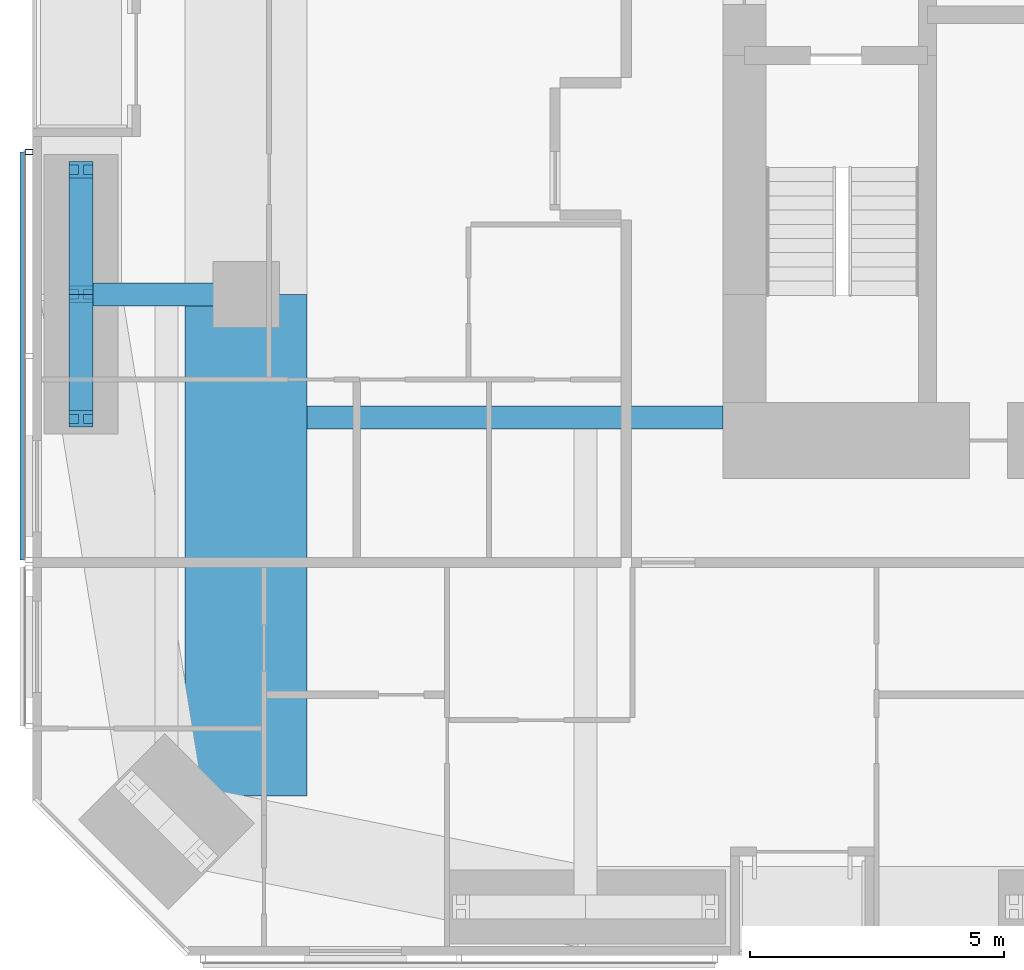
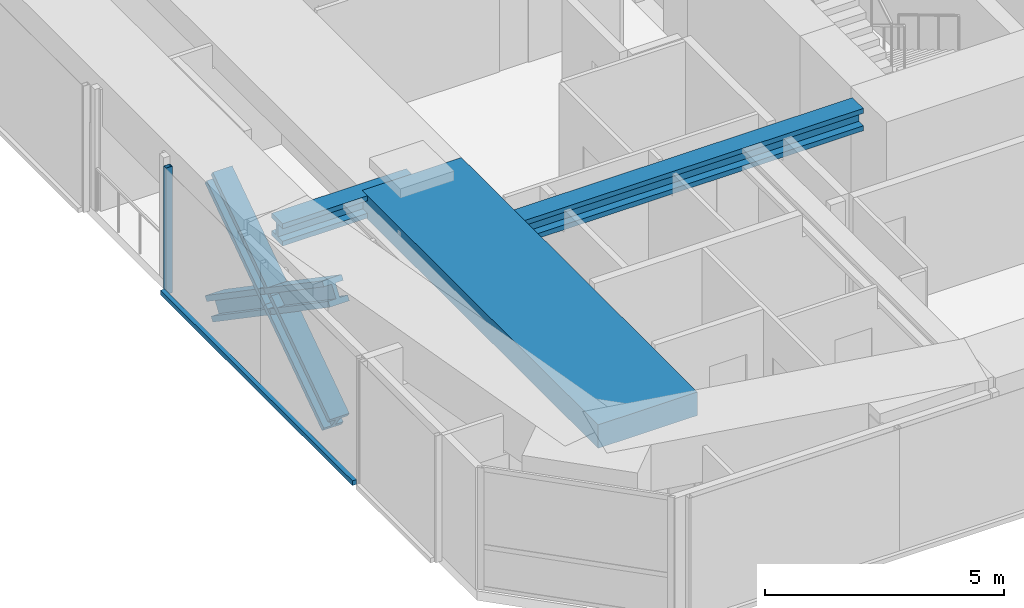
# One storey, part 3 of 23: 6 members, 3 beams, 1 element without a shape of its own.
"""IFC4 building model written with IfcOpenShell, lengths in metres."""

from ifc_helpers import new_model, si_unit, direction, frame, origin, origin_2d, place, context, subcontext, project, spatial, rectangle, hollow_rectangle, i_section, extrude, material, material_profile, profile_set, type_object, element, aggregate, save


model = new_model("IFC4")

# Units and contexts
model_context = context("Model", 3, precision=1e-05, world=origin(), true_north=direction((0.0, 1.0)))
body_context = subcontext(model_context, "Body", "Model", "MODEL_VIEW")
ifc_project = project(units=[si_unit("LENGTHUNIT", "METRE"), si_unit("AREAUNIT", "SQUARE_METRE"), si_unit("VOLUMEUNIT", "CUBIC_METRE"), si_unit("PLANEANGLEUNIT", "RADIAN"), si_unit("MASSUNIT", "GRAM", prefix="KILO")], contexts=[model_context])

# Site, building, storey
site_placement = place(None, origin())
site = spatial("IfcSite", under=ifc_project, at=site_placement, CompositionType="ELEMENT")
building_placement = place(site_placement, origin())
building = spatial("IfcBuilding", under=site, at=building_placement, Name="Jalousie Tower", CompositionType="ELEMENT")
storey_placement = place(building_placement, frame((0.0, 0.0, 111.550048828125)))
storey = spatial("IfcBuildingStorey", under=building, at=storey_placement, Name="L30", CompositionType="ELEMENT", Elevation=111.550048828125)

# Beams
ifc_material_1 = material(Name="Steel ASTM A992 Grade 50", Category="steel")
ifc_material_profile_1 = material_profile(ifc_material_1, i_section(OverallWidth=0.45458984375, OverallDepth=0.569091796875, WebThickness=0.077880859375, FlangeThickness=0.124755859375, at=origin_2d()), Name="W14X730")
ifc_profile_set_1 = profile_set([ifc_material_profile_1], Name="Steel ASTM A992 Grade 50")
beam_type_1 = type_object("IfcBeamType", Name="LEAN COLLECTOR W14X730", PredefinedType="BEAM", material=ifc_profile_set_1)
beam_1_placement = place(storey_placement, frame((6.949951171875, 13.0, 2.825439453125), z_axis=(1.0, 0.0, 0.0), x_axis=(0.0, 1.0, 0.0)))
element("IfcBeam", 1, at=beam_1_placement, inside=storey, type_object=beam_type_1, Name="Lean collector under L31", PredefinedType="BEAM", context=body_context, shape_type="SweptSolid", body=[
    extrude(i_section(OverallWidth=0.45458984375, OverallDepth=0.569091796875, WebThickness=0.077880859375, FlangeThickness=0.124755859375, at=origin_2d()), origin(), (0.0, 0.0, 1.0), 3.25),
])
beam_2_placement = place(storey_placement, frame((11.39990234375, 10.574951171875, 2.825439453125), z_axis=(1.0, 0.0, 0.0), x_axis=(0.0, 1.0, 0.0)))
element("IfcBeam", 2, at=beam_2_placement, inside=storey, type_object=beam_type_1, Name="Lean collector under L31", PredefinedType="BEAM", context=body_context, shape_type="SweptSolid", body=[
    extrude(i_section(OverallWidth=0.45458984375, OverallDepth=0.569091796875, WebThickness=0.077880859375, FlangeThickness=0.124755859375, at=origin_2d()), origin(), (0.0, 0.0, 1.0), 8.175048828125),
])

# Members
ifc_material_2 = material(Name="Steel ASTM A992 Grade 50", Category="steel")
ifc_material_profile_2 = material_profile(ifc_material_2, i_section(OverallWidth=0.472412109375, OverallDepth=0.5791015625, WebThickness=0.094970703125, FlangeThickness=0.1298828125, at=origin_2d()), Name="W14X808")
ifc_profile_set_2 = profile_set([ifc_material_profile_2], Name="Steel ASTM A992 Grade 50")
member_type_1 = type_object("IfcMemberType", Name="PERIMETER BRACE W14X808", PredefinedType="BRACE", material=ifc_profile_set_2)
for number, where, z_axis, x_axis, name in (
    (3, (6.949951171875, 10.550048828125, -0.60009765625), (0.0, 0.825500916831, 0.564400776321), (-1.0, 0.0, 0.0), "Perimeter brace 14 L30 part 1"),
    (4, (6.949951171875, 13.0, 1.074951171875), (0.0, 0.825500916831, 0.564400776321), (-1.0, 0.0, 0.0), "Perimeter brace 14 L30 part 2"),
    (5, (6.949951171875, 15.449951171875, -0.60009765625), (0.0, -0.825500916831, 0.564400776321), (1.0, 0.0, 0.0), "Perimeter brace 14 L30 part 3"),
    (6, (6.949951171875, 13.0, 1.074951171875), (0.0, -0.825500916831, 0.564400776321), (1.0, 0.0, 0.0), "Perimeter brace 14 L30 part 4"),
):
    element("IfcMember", number, at=place(storey_placement, frame(where, z_axis=z_axis, x_axis=x_axis)), inside=storey, type_object=member_type_1, Name=name, PredefinedType="BRACE", context=body_context, shape_type="SweptSolid", body=[
        extrude(i_section(OverallWidth=0.472412109375, OverallDepth=0.5791015625, WebThickness=0.094970703125, FlangeThickness=0.1298828125, at=origin_2d()), origin(), (0.0, 0.0, 1.0), 2.9677734375),
    ])

# Beam
ifc_material_3 = material(Name="Concrete f'c 40 MPa", Category="concrete")
ifc_material_profile_3 = material_profile(ifc_material_3, rectangle(XDim=2.39990234375, YDim=0.60009765625, at=origin_2d()), Name="RC 2400x600")
ifc_profile_set_3 = profile_set([ifc_material_profile_3], Name="Concrete f'c 40 MPa")
beam_type_2 = type_object("IfcBeamType", Name="RC BEAM 2400x600", PredefinedType="BEAM", material=ifc_profile_set_3)
beam_3_placement = place(storey_placement, frame((10.199951171875, 13.0, 2.81005859375), z_axis=(0.0, -1.0, 0.0), x_axis=(1.0, 0.0, 0.0)))
element("IfcBeam", 7, at=beam_3_placement, inside=storey, type_object=beam_type_2, Name="Floor band beam under L31", PredefinedType="BEAM", context=body_context, shape_type="SweptSolid", body=[
    extrude(rectangle(XDim=2.39990234375, YDim=0.60009765625, at=origin_2d()), origin(), (0.0, 0.0, 1.0), 9.8720703125),
])

# Curtain wall, members
ifc_material_4 = material(Name="Perforated aluminium sheet", Category="aluminium")
curtain_wall_type = type_object("IfcCurtainWallType", Name="SOLAR SCREEN SS-1", PredefinedType="USERDEFINED", material=ifc_material_4)
curtain_wall_placement = place(storey_placement, origin())
curtain_wall = element("IfcCurtainWall", 8, at=curtain_wall_placement, inside=storey, type_object=curtain_wall_type, Name="Solar screen L30", ObjectType="SOLAR SCREEN SS-1", PredefinedType="USERDEFINED")
ifc_material_5 = material(Name="Steel ASTM A500 Grade C", Category="steel")
ifc_material_profile_4 = material_profile(ifc_material_5, hollow_rectangle(XDim=0.1015625, YDim=0.15234375, WallThickness=0.00634765625, at=origin_2d()), Name="HSS6X4X1/4")
ifc_profile_set_4 = profile_set([ifc_material_profile_4], Name="Steel ASTM A500 Grade C")
member_type_2 = type_object("IfcMemberType", Name="SOLAR SCREEN SS-1 MULLION", PredefinedType="MULLION", material=ifc_profile_set_4)
member_1_placement = place(storey_placement, frame((5.9287109375, 15.800048828125, -0.1201171875), z_axis=(0.0, 0.0, 1.0), x_axis=(0.0, -1.0, 0.0)))
member_1 = element("IfcMember", 9, at=member_1_placement, type_object=member_type_2, Name="SS1 post 1", PredefinedType="MULLION", context=body_context, shape_type="SweptSolid", body=[
    extrude(hollow_rectangle(XDim=0.1015625, YDim=0.15234375, WallThickness=0.00634765625, at=origin_2d()), origin(), (0.0, 0.0, 1.0), 3.22998046875),
])
ifc_material_6 = material(Name="Extruded aluminium screen rail", Category="aluminium")
ifc_material_profile_5 = material_profile(ifc_material_6, rectangle(XDim=0.1015625, YDim=0.1201171875, at=origin_2d()), Name="RAIL 102x120")
ifc_profile_set_5 = profile_set([ifc_material_profile_5], Name="Extruded aluminium screen rail")
member_type_3 = type_object("IfcMemberType", Name="SOLAR SCREEN SS-1 TRANSOM", PredefinedType="USERDEFINED", material=ifc_profile_set_5)
member_2_placement = place(storey_placement, frame((5.8017578125, 15.800048828125, -0.06005859375), z_axis=(0.0, -1.0, 0.0), x_axis=(1.0, 0.0, 0.0)))
member_2 = element("IfcMember", 10, at=member_2_placement, type_object=member_type_3, Name="SS1 rail", ObjectType="TRANSOM", PredefinedType="USERDEFINED", context=body_context, shape_type="SweptSolid", body=[
    extrude(rectangle(XDim=0.1015625, YDim=0.1201171875, at=origin_2d()), origin(), (0.0, 0.0, 1.0), 8.025146484375),
])
aggregate(curtain_wall, [member_1, member_2])

save(model, "model.ifc")
